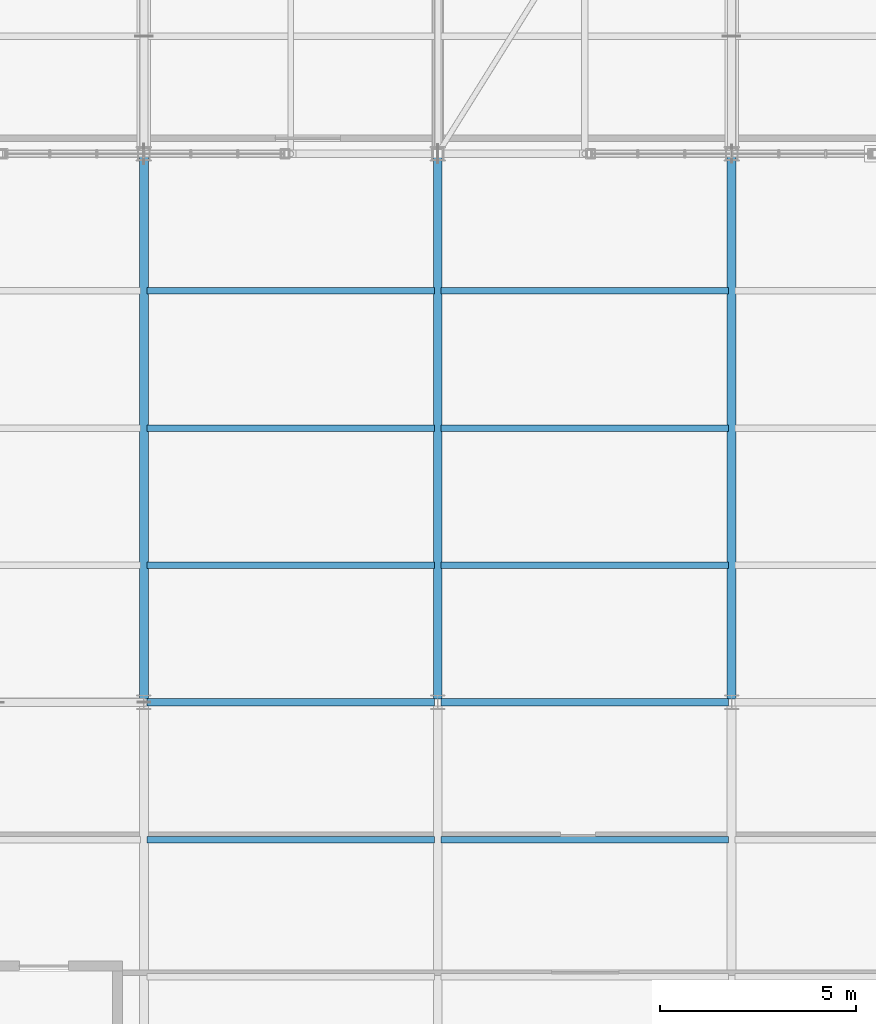
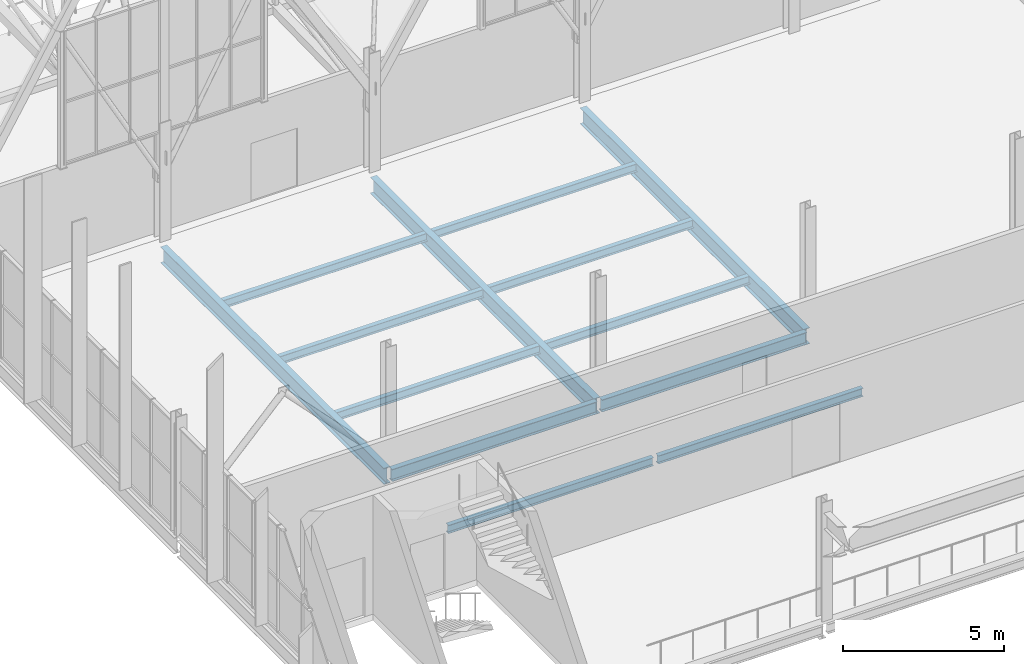
# One storey, part 79 of 324: 13 beams.
"""IFC4 building model written with IfcOpenShell, lengths in metres."""

from ifc_helpers import new_model, si_unit, direction, frame, origin, origin_2d, place, context, subcontext, project, spatial, i_section, extrude, material, material_profile, profile_set, type_object, element, save


model = new_model("IFC4")

# Units and contexts
model_context = context("Model", 3, precision=1e-05, world=origin(), true_north=direction((0.0, 1.0)))
body_context = subcontext(model_context, "Body", "Model", "MODEL_VIEW")
ifc_project = project(units=[si_unit("LENGTHUNIT", "METRE"), si_unit("AREAUNIT", "SQUARE_METRE"), si_unit("VOLUMEUNIT", "CUBIC_METRE"), si_unit("PLANEANGLEUNIT", "RADIAN"), si_unit("MASSUNIT", "GRAM", prefix="KILO")], contexts=[model_context])

# Site, building, storey
site_placement = place(None, origin())
site = spatial("IfcSite", under=ifc_project, at=site_placement, CompositionType="ELEMENT")
building_placement = place(site_placement, origin())
building = spatial("IfcBuilding", under=site, at=building_placement, Name="Solvenia Promenade Tram Depot", CompositionType="ELEMENT")
storey_placement = place(building_placement, frame((0.0, 0.0, 4.5)))
storey = spatial("IfcBuildingStorey", under=building, at=storey_placement, Name="L01", CompositionType="ELEMENT", Elevation=4.5)

# Beams
ifc_material = material(Name="Structural steel ASTM A992 Gr. 50", Category="steel")
ifc_material_profile_1 = material_profile(ifc_material, i_section(OverallWidth=0.19091796875, OverallDepth=0.4599609375, WebThickness=0.010009765625, FlangeThickness=0.01611328125, FilletRadius=0.012939453125, at=origin_2d()), Name="W460x82", Category="steel")
ifc_profile_set_1 = profile_set([ifc_material_profile_1], Name="Structural steel ASTM A992 Gr. 50")
beam_type_1 = type_object("IfcBeamType", Name="Beam-W460x82", PredefinedType="BEAM", material=ifc_profile_set_1)
for number, where, z_axis, x_axis, name in (
    (1, (112.5849609375, 52.0, -0.469970703125), (1.0, 0.0, 0.0), (0.0, 1.0, 0.0), "Primary Girder BM-L01-0130"),
    (2, (120.0849609375, 52.0, -0.469970703125), (1.0, 0.0, 0.0), (0.0, 1.0, 0.0), "Primary Girder BM-L01-0131"),
):
    element("IfcBeam", number, at=place(storey_placement, frame(where, z_axis=z_axis, x_axis=x_axis)), inside=storey, type_object=beam_type_1, Name=name, PredefinedType="BEAM", context=body_context, shape_type="SweptSolid", body=[
        extrude(i_section(OverallWidth=0.19091796875, OverallDepth=0.4599609375, WebThickness=0.010009765625, FlangeThickness=0.01611328125, FilletRadius=0.012939453125, at=origin_2d()), origin(), (0.0, 0.0, 1.0), 7.330078125),
    ])
ifc_material_profile_2 = material_profile(ifc_material, i_section(OverallWidth=0.22900390625, OverallDepth=0.612060546875, WebThickness=0.011962890625, FlangeThickness=0.01953125, FilletRadius=0.014892578125, at=origin_2d()), Name="W610x125", Category="steel")
ifc_profile_set_2 = profile_set([ifc_material_profile_2], Name="Structural steel ASTM A992 Gr. 50")
beam_type_2 = type_object("IfcBeamType", Name="Gird-W610x125", PredefinedType="BEAM", material=ifc_profile_set_2)
for number, where, z_axis, x_axis, name in (
    (3, (112.5, 52.0849609375, -0.5458984375), (0.0, 1.0, 0.0), (-1.0, 0.0, 0.0), "Transverse Girder BM-L01-0144"),
    (4, (120.0, 52.0849609375, -0.5458984375), (0.0, 1.0, 0.0), (-1.0, 0.0, 0.0), "Transverse Girder BM-L01-0146"),
    (5, (127.5, 52.0849609375, -0.5458984375), (0.0, 1.0, 0.0), (-1.0, 0.0, 0.0), "Transverse Girder BM-L01-0148"),
):
    element("IfcBeam", number, at=place(storey_placement, frame(where, z_axis=z_axis, x_axis=x_axis)), inside=storey, type_object=beam_type_2, Name=name, PredefinedType="BEAM", context=body_context, shape_type="SweptSolid", body=[
        extrude(i_section(OverallWidth=0.22900390625, OverallDepth=0.612060546875, WebThickness=0.011962890625, FlangeThickness=0.01953125, FilletRadius=0.014892578125, at=origin_2d()), origin(), (0.0, 0.0, 1.0), 13.830078125),
    ])
ifc_material_profile_3 = material_profile(ifc_material, i_section(OverallWidth=0.166015625, OverallDepth=0.31298828125, WebThickness=0.006591796875, FlangeThickness=0.01123046875, FilletRadius=0.010009765625, at=origin_2d()), Name="W310x45", Category="steel")
ifc_profile_set_3 = profile_set([ifc_material_profile_3], Name="Structural steel ASTM A992 Gr. 50")
beam_type_3 = type_object("IfcBeamType", Name="Joist-W310x45", PredefinedType="JOIST", material=ifc_profile_set_3)
for number, where, z_axis, x_axis, name in (
    (6, (112.5849609375, 48.5, -0.396484375), (1.0, 0.0, 0.0), (0.0, 1.0, 0.0), "Secondary Floor Joist BM-L01-0167"),
    (7, (112.5849609375, 55.5, -0.396484375), (1.0, 0.0, 0.0), (0.0, 1.0, 0.0), "Secondary Floor Joist BM-L01-0168"),
    (8, (112.5849609375, 59.0, -0.396484375), (1.0, 0.0, 0.0), (0.0, 1.0, 0.0), "Secondary Floor Joist BM-L01-0169"),
    (9, (112.5849609375, 62.5, -0.396484375), (1.0, 0.0, 0.0), (0.0, 1.0, 0.0), "Secondary Floor Joist BM-L01-0170"),
    (10, (120.0849609375, 48.5, -0.396484375), (1.0, 0.0, 0.0), (0.0, 1.0, 0.0), "Secondary Floor Joist BM-L01-0173"),
    (11, (120.0849609375, 55.5, -0.396484375), (1.0, 0.0, 0.0), (0.0, 1.0, 0.0), "Secondary Floor Joist BM-L01-0174"),
    (12, (120.0849609375, 59.0, -0.396484375), (1.0, 0.0, 0.0), (0.0, 1.0, 0.0), "Secondary Floor Joist BM-L01-0175"),
    (13, (120.0849609375, 62.5, -0.396484375), (1.0, 0.0, 0.0), (0.0, 1.0, 0.0), "Secondary Floor Joist BM-L01-0176"),
):
    element("IfcBeam", number, at=place(storey_placement, frame(where, z_axis=z_axis, x_axis=x_axis)), inside=storey, type_object=beam_type_3, Name=name, PredefinedType="JOIST", context=body_context, shape_type="SweptSolid", body=[
        extrude(i_section(OverallWidth=0.166015625, OverallDepth=0.31298828125, WebThickness=0.006591796875, FlangeThickness=0.01123046875, FilletRadius=0.010009765625, at=origin_2d()), origin(), (0.0, 0.0, 1.0), 7.330078125),
    ])

save(model, "model.ifc")
